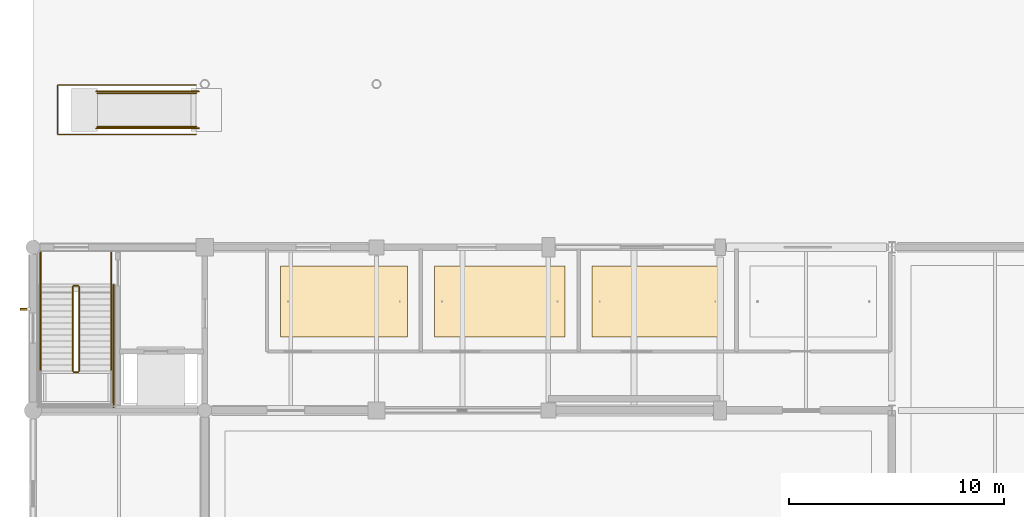
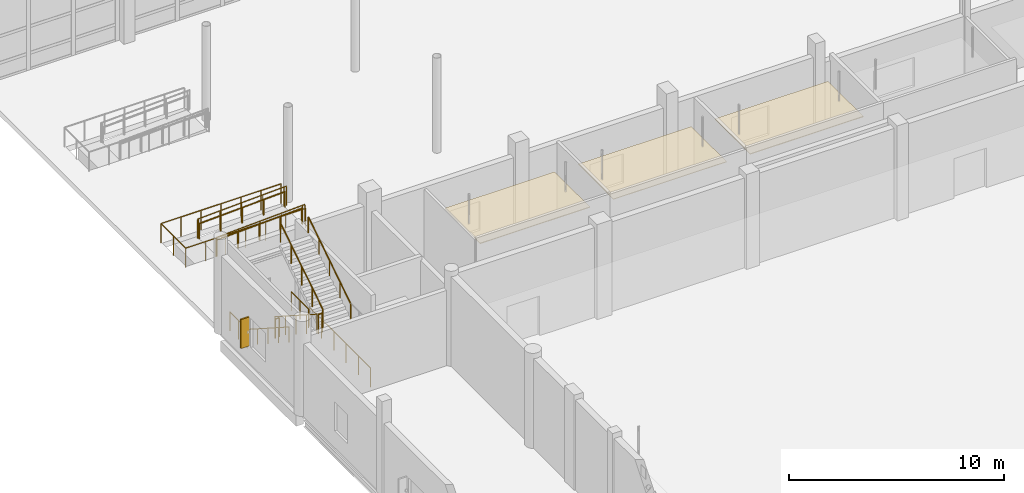
# One storey, part 112 of 126: 14 railings, 3 coverings, 1 shading device.
"""IFC4 building model written with IfcOpenShell, lengths in metres."""

from ifc_helpers import new_model, si_unit, direction, frame, origin, origin_2d, place, context, subcontext, project, spatial, polyline, rectangle, circle, outline, extrude, material, layer, layer_set, type_object, element, save


model = new_model("IFC4")

# Units and contexts
model_context = context("Model", 3, precision=1e-05, world=origin(), true_north=direction((0.0, 1.0)))
body_context = subcontext(model_context, "Body", "Model", "MODEL_VIEW")
ifc_project = project(units=[si_unit("LENGTHUNIT", "METRE"), si_unit("AREAUNIT", "SQUARE_METRE"), si_unit("VOLUMEUNIT", "CUBIC_METRE"), si_unit("PLANEANGLEUNIT", "RADIAN"), si_unit("MASSUNIT", "GRAM", prefix="KILO")], contexts=[model_context])

# Site, building, storey
site_placement = place(None, origin())
site = spatial("IfcSite", under=ifc_project, at=site_placement, CompositionType="ELEMENT")
building_placement = place(site_placement, origin())
building = spatial("IfcBuilding", under=site, at=building_placement, Name="Khelvaren Railside Concert Hall", CompositionType="ELEMENT")
storey_placement = place(building_placement, origin())
storey = spatial("IfcBuildingStorey", under=building, at=storey_placement, Name="L00", CompositionType="ELEMENT", Elevation=0.0)

# Coverings
ifc_material_1 = material(Name="Mineral-wool acoustic baffle ceiling", Category="gypsum")
ifc_layer_1 = layer(ifc_material_1, 0.0400390625)
ifc_layer_set_1 = layer_set([ifc_layer_1], Name="Mineral-wool acoustic baffle ceiling")
covering_type_1 = type_object("IfcCoveringType", Name="CLG20", PredefinedType="CEILING", material=ifc_layer_set_1)
covering_1_placement = place(storey_placement, frame((0.0, 0.0, 3.409912109375)))
element("IfcCovering", 1, at=covering_1_placement, inside=storey, type_object=covering_type_1, Name="Suspended Acoustic Ceiling Stage Right Quick-Change Suite", PredefinedType="CEILING", context=body_context, shape_type="SweptSolid", body=[
    extrude(outline(polyline([(11.530029296875, 41.429931640625), (17.43310546875, 41.429931640625), (17.43310546875, 44.719970703125), (11.530029296875, 44.719970703125), (11.530029296875, 41.429931640625)])), origin(), (0.0, 0.0, 1.0), 0.0400390625),
])
covering_2_placement = place(storey_placement, frame((0.0, 0.0, 3.409912109375)))
element("IfcCovering", 2, at=covering_2_placement, inside=storey, type_object=covering_type_1, Name="Suspended Acoustic Ceiling Latecomers Listening Salon", PredefinedType="CEILING", context=body_context, shape_type="SweptSolid", body=[
    extrude(outline(polyline([(26.0400390625, 41.429931640625), (32.126953125, 41.429931640625), (32.126953125, 44.719970703125), (26.0400390625, 44.719970703125), (26.0400390625, 41.429931640625)])), origin(), (0.0, 0.0, 1.0), 0.0400390625),
])
ifc_material_2 = material(Name="Micro-perforated timber acoustic ceiling", Category="wood")
ifc_layer_2 = layer(ifc_material_2, 0.030029296875)
ifc_layer_set_2 = layer_set([ifc_layer_2], Name="Micro-perforated timber acoustic ceiling")
covering_type_2 = type_object("IfcCoveringType", Name="CLG77", PredefinedType="CEILING", material=ifc_layer_set_2)
covering_3_placement = place(storey_placement, frame((0.0, 0.0, 3.419921875)))
element("IfcCovering", 3, at=covering_3_placement, inside=storey, type_object=covering_type_2, Name="Suspended Acoustic Ceiling Instrument Warming Gallery", PredefinedType="CEILING", context=body_context, shape_type="SweptSolid", body=[
    extrude(outline(polyline([(18.693115234375, 41.429931640625), (24.780029296875, 41.429931640625), (24.780029296875, 44.719970703125), (18.693115234375, 44.719970703125), (18.693115234375, 41.429931640625)])), origin(), (0.0, 0.0, 1.0), 0.030029296875),
])

# Railings
ifc_material_3 = material(Name="Painted architectural steel", Category="steel")
railing_type_1 = type_object("IfcRailingType", Name="GRD40", PredefinedType="GUARDRAIL", material=ifc_material_3)
for number, where, name in (
    (4, (2.949951171875, 52.860107421875, -0.199951171875), "Ramp Edge Guardrail RMP-01-L"),
    (5, (2.949951171875, 51.139892578125, -0.199951171875), "Ramp Edge Guardrail RMP-01-R"),
):
    element("IfcRailing", number, at=place(storey_placement, frame(where)), inside=storey, type_object=railing_type_1, Name=name, PredefinedType="GUARDRAIL", context=body_context, shape_type="SweptSolid", body=[
        extrude(circle(Radius=0.02392578125, at=origin_2d()), frame((0.0, 0.0, 1.09619140625), z_axis=(1.0, 0.0, 0.0), x_axis=(0.0, 1.0, 0.0)), (0.0, 0.0, 1.0), 0.050048828125),
        extrude(circle(Radius=0.02392578125, at=origin_2d()), frame((0.050048828125, 0.0, 1.09619140625), z_axis=(0.999056658504, 0.0, 0.043425719314), x_axis=(0.0, 1.0, 0.0)), (0.0, 0.0, 1.0), 4.6044921875),
        extrude(circle(Radius=0.02392578125, at=origin_2d()), frame((4.650146484375, 0.0, 1.2958984375), z_axis=(1.0, 0.0, 0.0), x_axis=(0.0, 1.0, 0.0)), (0.0, 0.0, 1.0), 0.119873046875),
        extrude(circle(Radius=0.02099609375, at=origin_2d()), origin(), (0.0, 0.0, 1.0), 1.072021484375),
        extrude(circle(Radius=0.02099609375, at=origin_2d()), frame((0.050048828125, 0.0, 0.0)), (0.0, 0.0, 1.0), 1.072021484375),
        extrude(circle(Radius=0.02099609375, at=origin_2d()), frame((1.2001953125, 0.0, 0.050048828125)), (0.0, 0.0, 1.0), 1.072021484375),
        extrude(circle(Radius=0.02099609375, at=origin_2d()), frame((2.35009765625, 0.0, 0.10009765625)), (0.0, 0.0, 1.0), 1.072021484375),
        extrude(circle(Radius=0.02099609375, at=origin_2d()), frame((3.5, 0.0, 0.14990234375)), (0.0, 0.0, 1.0), 1.072021484375),
        extrude(circle(Radius=0.02099609375, at=origin_2d()), frame((4.650146484375, 0.0, 0.199951171875)), (0.0, 0.0, 1.0), 1.072021484375),
        extrude(circle(Radius=0.02099609375, at=origin_2d()), frame((4.77001953125, 0.0, 0.199951171875)), (0.0, 0.0, 1.0), 1.072021484375),
    ])
railing_1_placement = place(storey_placement, frame((7.60009765625, 50.85009765625, 0.0)))
element("IfcRailing", 6, at=railing_1_placement, inside=storey, type_object=railing_type_1, Name="Apron Ramp Pocket Guardrail RMP-01", PredefinedType="GUARDRAIL", context=body_context, shape_type="SweptSolid", body=[
    extrude(circle(Radius=0.02392578125, at=origin_2d()), frame((0.0, 0.0, 1.09619140625), z_axis=(-1.0, 0.0, 0.0), x_axis=(0.0, -1.0, 0.0)), (0.0, 0.0, 1.0), 6.4501953125),
    extrude(circle(Radius=0.02392578125, at=origin_2d()), frame((-6.4501953125, 0.0, 1.09619140625), z_axis=(0.0, 1.0, 0.0), x_axis=(-1.0, 0.0, 0.0)), (0.0, 0.0, 1.0), 2.2998046875),
    extrude(circle(Radius=0.02392578125, at=origin_2d()), frame((-6.4501953125, 2.2998046875, 1.09619140625), z_axis=(1.0, 0.0, 0.0), x_axis=(0.0, 1.0, 0.0)), (0.0, 0.0, 1.0), 6.4501953125),
    extrude(circle(Radius=0.02099609375, at=origin_2d()), origin(), (0.0, 0.0, 1.0), 1.072021484375),
    extrude(circle(Radius=0.02099609375, at=origin_2d()), frame((-1.074951171875, 0.0, 0.0)), (0.0, 0.0, 1.0), 1.072021484375),
    extrude(circle(Radius=0.02099609375, at=origin_2d()), frame((-2.150146484375, 0.0, 0.0)), (0.0, 0.0, 1.0), 1.072021484375),
    extrude(circle(Radius=0.02099609375, at=origin_2d()), frame((-3.22509765625, 0.0, 0.0)), (0.0, 0.0, 1.0), 1.072021484375),
    extrude(circle(Radius=0.02099609375, at=origin_2d()), frame((-4.300048828125, 0.0, 0.0)), (0.0, 0.0, 1.0), 1.072021484375),
    extrude(circle(Radius=0.02099609375, at=origin_2d()), frame((-5.375244140625, 0.0, 0.0)), (0.0, 0.0, 1.0), 1.072021484375),
    extrude(circle(Radius=0.02099609375, at=origin_2d()), frame((-6.4501953125, 0.0, 0.0)), (0.0, 0.0, 1.0), 1.072021484375),
    extrude(circle(Radius=0.02099609375, at=origin_2d()), frame((-6.4501953125, 1.14990234375, 0.0)), (0.0, 0.0, 1.0), 1.072021484375),
    extrude(circle(Radius=0.02099609375, at=origin_2d()), frame((-6.4501953125, 2.2998046875, 0.0)), (0.0, 0.0, 1.0), 1.072021484375),
    extrude(circle(Radius=0.02099609375, at=origin_2d()), frame((-5.375244140625, 2.2998046875, 0.0)), (0.0, 0.0, 1.0), 1.072021484375),
    extrude(circle(Radius=0.02099609375, at=origin_2d()), frame((-4.300048828125, 2.2998046875, 0.0)), (0.0, 0.0, 1.0), 1.072021484375),
    extrude(circle(Radius=0.02099609375, at=origin_2d()), frame((-3.22509765625, 2.2998046875, 0.0)), (0.0, 0.0, 1.0), 1.072021484375),
    extrude(circle(Radius=0.02099609375, at=origin_2d()), frame((-2.150146484375, 2.2998046875, 0.0)), (0.0, 0.0, 1.0), 1.072021484375),
    extrude(circle(Radius=0.02099609375, at=origin_2d()), frame((-1.074951171875, 2.2998046875, 0.0)), (0.0, 0.0, 1.0), 1.072021484375),
    extrude(circle(Radius=0.02099609375, at=origin_2d()), frame((0.0, 2.2998046875, 0.0)), (0.0, 0.0, 1.0), 1.072021484375),
])
railing_type_2 = type_object("IfcRailingType", Name="GRD86", PredefinedType="GUARDRAIL", material=ifc_material_3)
railing_2_placement = place(storey_placement, frame((1.85009765625, 43.760009765625, 0.179931640625)))
element("IfcRailing", 7, at=railing_2_placement, inside=storey, type_object=railing_type_2, Name="L00 ST-11 stair guard 1", PredefinedType="GUARDRAIL", context=body_context, shape_type="SweptSolid", body=[
    extrude(circle(Radius=0.02392578125, at=origin_2d()), frame((0.0, 0.0, 1.076171875), z_axis=(0.0, -0.841171666519, 0.540768182723), x_axis=(1.0, 0.0, 0.0)), (0.0, 0.0, 1.0), 4.66015625),
    extrude(circle(Radius=0.02099609375, at=origin_2d()), origin(), (0.0, 0.0, 1.0), 1.052001953125),
    extrude(circle(Radius=0.02099609375, at=origin_2d()), frame((0.0, -0.97998046875, 0.6298828125)), (0.0, 0.0, 1.0), 1.052001953125),
    extrude(circle(Radius=0.02099609375, at=origin_2d()), frame((0.0, -1.9599609375, 1.260009765625)), (0.0, 0.0, 1.0), 1.052001953125),
    extrude(circle(Radius=0.02099609375, at=origin_2d()), frame((0.0, -2.93994140625, 1.89013671875)), (0.0, 0.0, 1.0), 1.052001953125),
    extrude(circle(Radius=0.02099609375, at=origin_2d()), frame((0.0, -3.919921875, 2.52001953125)), (0.0, 0.0, 1.0), 1.052001953125),
])
railing_3_placement = place(storey_placement, frame((1.89990234375, 39.7900390625, 2.699951171875)))
element("IfcRailing", 8, at=railing_3_placement, inside=storey, type_object=railing_type_2, Name="L00 ST-11 stair guard 2", PredefinedType="GUARDRAIL", context=body_context, shape_type="SweptSolid", body=[
    extrude(circle(Radius=0.02392578125, at=origin_2d()), frame((0.0, 0.0, 1.076171875), z_axis=(1.0, 0.0, 0.0), x_axis=(0.0, 1.0, 0.0)), (0.0, 0.0, 1.0), 0.2001953125),
    extrude(circle(Radius=0.02099609375, at=origin_2d()), origin(), (0.0, 0.0, 1.0), 1.052001953125),
    extrude(circle(Radius=0.02099609375, at=origin_2d()), frame((0.2001953125, 0.0, 0.0)), (0.0, 0.0, 1.0), 1.052001953125),
])
railing_4_placement = place(storey_placement, frame((2.14990234375, 39.840087890625, 2.8798828125)))
element("IfcRailing", 9, at=railing_4_placement, inside=storey, type_object=railing_type_2, Name="L00 ST-11 stair guard 6", PredefinedType="GUARDRAIL", context=body_context, shape_type="SweptSolid", body=[
    extrude(circle(Radius=0.02392578125, at=origin_2d()), frame((0.0, 0.0, 1.076171875), z_axis=(0.0, 0.841171666519, 0.540768182723), x_axis=(-1.0, 0.0, 0.0)), (0.0, 0.0, 1.0), 4.66015625),
    extrude(circle(Radius=0.02099609375, at=origin_2d()), origin(), (0.0, 0.0, 1.0), 1.052001953125),
    extrude(circle(Radius=0.02099609375, at=origin_2d()), frame((0.0, 0.97998046875, 0.6298828125)), (0.0, 0.0, 1.0), 1.052001953125),
    extrude(circle(Radius=0.02099609375, at=origin_2d()), frame((0.0, 1.9599609375, 1.260009765625)), (0.0, 0.0, 1.0), 1.052001953125),
    extrude(circle(Radius=0.02099609375, at=origin_2d()), frame((0.0, 2.93994140625, 1.89013671875)), (0.0, 0.0, 1.0), 1.052001953125),
    extrude(circle(Radius=0.02099609375, at=origin_2d()), frame((0.0, 3.919921875, 2.52001953125)), (0.0, 0.0, 1.0), 1.052001953125),
])
railing_5_placement = place(storey_placement, frame((1.89990234375, 43.81005859375, 0.0)))
element("IfcRailing", 10, at=railing_5_placement, inside=storey, type_object=railing_type_2, Name="L00 ST-11 stair guard 7", PredefinedType="GUARDRAIL", context=body_context, shape_type="SweptSolid", body=[
    extrude(circle(Radius=0.02392578125, at=origin_2d()), frame((0.0, 0.0, 1.076171875), z_axis=(1.0, 0.0, 0.0), x_axis=(0.0, 1.0, 0.0)), (0.0, 0.0, 1.0), 0.2001953125),
    extrude(circle(Radius=0.02099609375, at=origin_2d()), origin(), (0.0, 0.0, 1.0), 1.052001953125),
    extrude(circle(Radius=0.02099609375, at=origin_2d()), frame((0.2001953125, 0.0, 0.0)), (0.0, 0.0, 1.0), 1.052001953125),
])
for number, where, name in (
    (11, (0.35009765625, 45.360107421875, 0.0), "L00 ST-11 stair guard 8"),
    (12, (3.64990234375, 45.360107421875, 0.0), "L00 ST-11 stair guard 9"),
):
    element("IfcRailing", number, at=place(storey_placement, frame(where)), inside=storey, type_object=railing_type_2, Name=name, PredefinedType="GUARDRAIL", context=body_context, shape_type="SweptSolid", body=[
        extrude(circle(Radius=0.02392578125, at=origin_2d()), frame((0.0, 0.0, 1.076171875), z_axis=(0.0, -1.0, 0.0), x_axis=(1.0, 0.0, 0.0)), (0.0, 0.0, 1.0), 1.60009765625),
        extrude(circle(Radius=0.02099609375, at=origin_2d()), origin(), (0.0, 0.0, 1.0), 1.052001953125),
        extrude(circle(Radius=0.02099609375, at=origin_2d()), frame((0.0, -0.800048828125, 0.0)), (0.0, 0.0, 1.0), 1.052001953125),
        extrude(circle(Radius=0.02099609375, at=origin_2d()), frame((0.0, -1.60009765625, 0.0)), (0.0, 0.0, 1.0), 1.052001953125),
    ])
railing_6_placement = place(storey_placement, frame((3.75, 43.860107421875, 0.0)))
element("IfcRailing", 13, at=railing_6_placement, inside=storey, type_object=railing_type_2, Name="L00 ST-11 stair guard 11", PredefinedType="GUARDRAIL", context=body_context, shape_type="SweptSolid", body=[
    extrude(circle(Radius=0.02392578125, at=origin_2d()), frame((0.0, 0.0, 1.076171875), z_axis=(0.0, -1.0, 0.0), x_axis=(1.0, 0.0, 0.0)), (0.0, 0.0, 1.0), 5.72021484375),
    extrude(circle(Radius=0.02099609375, at=origin_2d()), origin(), (0.0, 0.0, 1.0), 1.052001953125),
    extrude(circle(Radius=0.02099609375, at=origin_2d()), frame((0.0, -1.14404296875, 0.0)), (0.0, 0.0, 1.0), 1.052001953125),
    extrude(circle(Radius=0.02099609375, at=origin_2d()), frame((0.0, -2.2880859375, 0.0)), (0.0, 0.0, 1.0), 1.052001953125),
    extrude(circle(Radius=0.02099609375, at=origin_2d()), frame((0.0, -3.43212890625, 0.0)), (0.0, 0.0, 1.0), 1.052001953125),
    extrude(circle(Radius=0.02099609375, at=origin_2d()), frame((0.0, -4.576171875, 0.0)), (0.0, 0.0, 1.0), 1.052001953125),
    extrude(circle(Radius=0.02099609375, at=origin_2d()), frame((0.0, -5.72021484375, 0.0)), (0.0, 0.0, 1.0), 1.052001953125),
])
ifc_material_4 = material(Name="Brushed stainless steel Grade 316", Category="steel")
railing_type_3 = type_object("IfcRailingType", Name="HRL59", PredefinedType="HANDRAIL", material=ifc_material_4)
railing_7_placement = place(storey_placement, frame((0.35009765625, 43.760009765625, 0.179931640625)))
element("IfcRailing", 14, at=railing_7_placement, inside=storey, type_object=railing_type_3, Name="L00 ST-11 stair handrail 1", PredefinedType="HANDRAIL", context=body_context, shape_type="SweptSolid", body=[
    extrude(circle(Radius=0.02392578125, at=origin_2d()), frame((0.0, 0.0, 0.8759765625), z_axis=(0.0, -0.841171666519, 0.540768182723), x_axis=(1.0, 0.0, 0.0)), (0.0, 0.0, 1.0), 4.66015625),
    extrude(circle(Radius=0.02099609375, at=origin_2d()), origin(), (0.0, 0.0, 1.0), 0.851806640625),
    extrude(circle(Radius=0.02099609375, at=origin_2d()), frame((0.0, -0.97998046875, 0.6298828125)), (0.0, 0.0, 1.0), 0.851806640625),
    extrude(circle(Radius=0.02099609375, at=origin_2d()), frame((0.0, -1.9599609375, 1.260009765625)), (0.0, 0.0, 1.0), 0.851806640625),
    extrude(circle(Radius=0.02099609375, at=origin_2d()), frame((0.0, -2.93994140625, 1.89013671875)), (0.0, 0.0, 1.0), 0.851806640625),
    extrude(circle(Radius=0.02099609375, at=origin_2d()), frame((0.0, -3.919921875, 2.52001953125)), (0.0, 0.0, 1.0), 0.851806640625),
])
railing_8_placement = place(storey_placement, frame((3.64990234375, 39.840087890625, 2.8798828125)))
element("IfcRailing", 15, at=railing_8_placement, inside=storey, type_object=railing_type_3, Name="L00 ST-11 stair handrail 2", PredefinedType="HANDRAIL", context=body_context, shape_type="SweptSolid", body=[
    extrude(circle(Radius=0.02392578125, at=origin_2d()), frame((0.0, 0.0, 0.8759765625), z_axis=(0.0, 0.841171666519, 0.540768182723), x_axis=(-1.0, 0.0, 0.0)), (0.0, 0.0, 1.0), 4.66015625),
    extrude(circle(Radius=0.02099609375, at=origin_2d()), origin(), (0.0, 0.0, 1.0), 0.851806640625),
    extrude(circle(Radius=0.02099609375, at=origin_2d()), frame((0.0, 0.97998046875, 0.6298828125)), (0.0, 0.0, 1.0), 0.851806640625),
    extrude(circle(Radius=0.02099609375, at=origin_2d()), frame((0.0, 1.9599609375, 1.260009765625)), (0.0, 0.0, 1.0), 0.851806640625),
    extrude(circle(Radius=0.02099609375, at=origin_2d()), frame((0.0, 2.93994140625, 1.89013671875)), (0.0, 0.0, 1.0), 0.851806640625),
    extrude(circle(Radius=0.02099609375, at=origin_2d()), frame((0.0, 3.919921875, 2.52001953125)), (0.0, 0.0, 1.0), 0.851806640625),
])
for number, where, name in (
    (16, (3.0, 52.780029296875, -0.199951171875), "Ramp Handrail RMP-01-L"),
    (17, (3.0, 51.219970703125, -0.199951171875), "Ramp Handrail RMP-01-R"),
):
    element("IfcRailing", number, at=place(storey_placement, frame(where)), inside=storey, type_object=railing_type_3, Name=name, PredefinedType="HANDRAIL", context=body_context, shape_type="SweptSolid", body=[
        extrude(circle(Radius=0.02392578125, at=origin_2d()), frame((0.0, 0.0, 0.8759765625), z_axis=(0.999056658504, 0.0, 0.043425719314), x_axis=(0.0, 1.0, 0.0)), (0.0, 0.0, 1.0), 4.6044921875),
        extrude(circle(Radius=0.02099609375, at=origin_2d()), origin(), (0.0, 0.0, 1.0), 0.851806640625),
        extrude(circle(Radius=0.02099609375, at=origin_2d()), frame((1.14990234375, 0.0, 0.050048828125)), (0.0, 0.0, 1.0), 0.851806640625),
        extrude(circle(Radius=0.02099609375, at=origin_2d()), frame((2.300048828125, 0.0, 0.10009765625)), (0.0, 0.0, 1.0), 0.851806640625),
        extrude(circle(Radius=0.02099609375, at=origin_2d()), frame((3.4501953125, 0.0, 0.14990234375)), (0.0, 0.0, 1.0), 0.851806640625),
        extrude(circle(Radius=0.02099609375, at=origin_2d()), frame((4.60009765625, 0.0, 0.199951171875)), (0.0, 0.0, 1.0), 0.851806640625),
    ])

# Shading device
ifc_material_5 = material(Name="Anodised bronze aluminium 6063-T6", Category="aluminium")
shading_device_type = type_object("IfcShadingDeviceType", Name="SFN18", PredefinedType="USERDEFINED", material=ifc_material_5)
shading_device_placement = place(storey_placement, frame((-0.3798828125, 42.717529296875, 0.949951171875), z_axis=(0.0, 0.0, 1.0), x_axis=(0.0, 1.0, 0.0)))
element("IfcShadingDevice", 18, at=shading_device_placement, inside=storey, type_object=shading_device_type, Name="Bronze Solar Shading Fin EW-V1-L00-W-38", ObjectType="SOLAR FIN", PredefinedType="USERDEFINED", context=body_context, shape_type="SweptSolid", body=[
    extrude(rectangle(XDim=0.080078125, YDim=0.449951171875, at=origin_2d()), origin(), (0.0, 0.0, 1.0), 1.64990234375),
])

save(model, "model.ifc")
